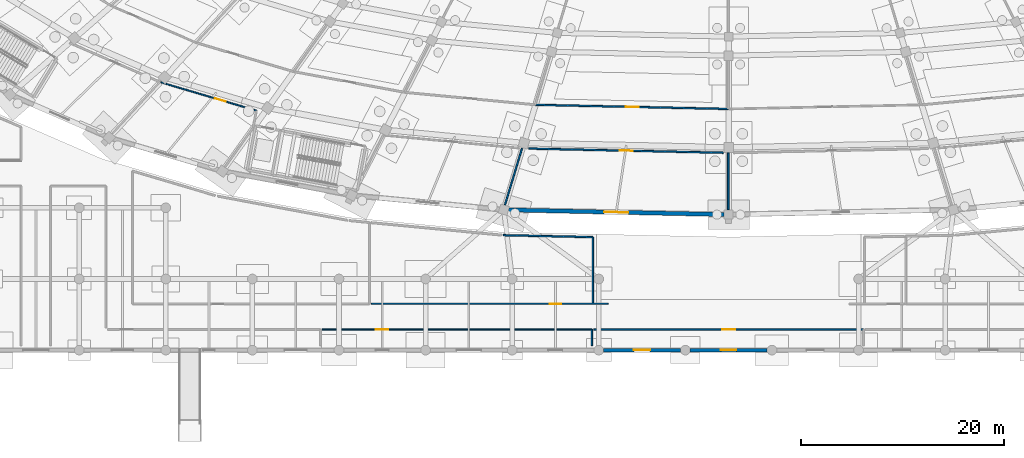
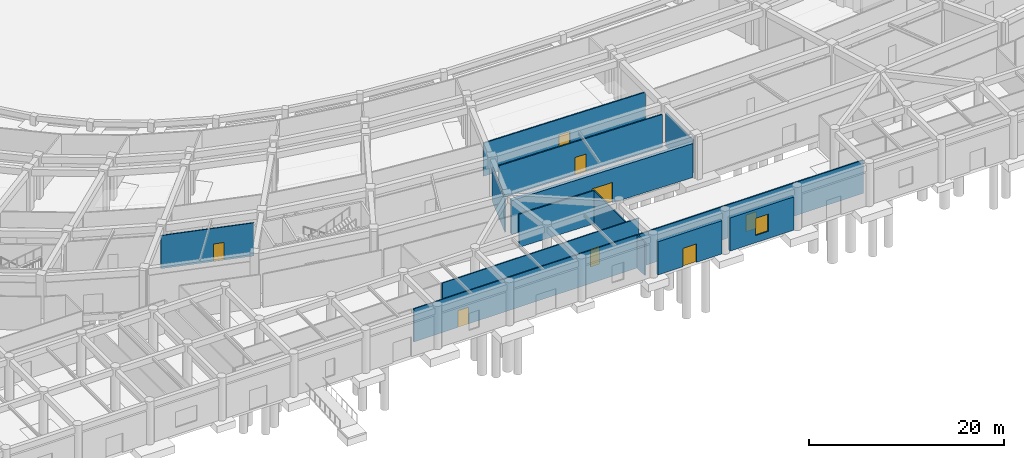
# One storey, part 43 of 88: 14 walls, 8 doors, 1 window, 9 openings.
"""IFC4 building model written with IfcOpenShell, lengths in metres."""

from ifc_helpers import new_model, si_unit, direction, frame, frame_2d, origin, place, context, subcontext, project, spatial, rectangle, extrude, material, layer, layer_set, type_object, element, fill, save


model = new_model("IFC4")

# Units and contexts
model_context = context("Model", 3, precision=1e-05, world=origin(), true_north=direction((0.0, 1.0)))
body_context = subcontext(model_context, "Body", "Model", "MODEL_VIEW")
ifc_project = project(units=[si_unit("LENGTHUNIT", "METRE"), si_unit("AREAUNIT", "SQUARE_METRE"), si_unit("VOLUMEUNIT", "CUBIC_METRE"), si_unit("PLANEANGLEUNIT", "RADIAN"), si_unit("MASSUNIT", "GRAM", prefix="KILO")], contexts=[model_context])

# Site, building, storey
site_placement = place(None, origin())
site = spatial("IfcSite", under=ifc_project, at=site_placement, CompositionType="ELEMENT")
building_placement = place(site_placement, origin())
building = spatial("IfcBuilding", under=site, at=building_placement, Name="Mphavela Belvedere Stadium", CompositionType="ELEMENT")
storey_placement = place(building_placement, origin())
storey = spatial("IfcBuildingStorey", under=building, at=storey_placement, Name="L00", CompositionType="ELEMENT", Elevation=0.0)

# Wall, opening, door
ifc_material_1 = material(Name="Honed ashlar limestone masonry", Category="masonry")
ifc_layer_1 = layer(ifc_material_1, 0.35009765625)
ifc_layer_set_1 = layer_set([ifc_layer_1], Name="Honed ashlar limestone masonry")
wall_type_1 = type_object("IfcWallType", Name="WAL-EXT-ASHLAR-350", PredefinedType="STANDARD", material=ifc_layer_set_1)
wall_1_placement = place(storey_placement, frame((110.26806640625, 0.0, 0.0), z_axis=(0.0, 0.0, 1.0), x_axis=(-1.0, 0.0, 0.0)))
wall_1 = element("IfcWall", 1, at=wall_1_placement, inside=storey, type_object=wall_type_1, Name="South Axial Triumphal Peristyle Portico outer facade bay L00-13", PredefinedType="STANDARD", context=body_context, shape_type="SweptSolid", body=[
    extrude(rectangle(XDim=7.572998046875, YDim=0.35009765625, at=frame_2d((3.78662109375, 0.0))), origin(), (0.0, 0.0, 1.0), 4.159912109375),
])
opening_1_placement = place(wall_1_placement, frame((2.986572265625, 0.0, 0.0)))
opening_1 = element("IfcOpeningElement", 2, at=opening_1_placement, cuts=wall_1, Name="Opening ED-031", PredefinedType="OPENING", context=body_context, shape_type="SweptSolid", body=[
    extrude(rectangle(XDim=1.60009765625, YDim=2.300048828125, at=frame_2d((0.800048828125, 1.14990234375))), frame((0.0, 0.18505859375, 0.0), z_axis=(0.0, -1.0, 0.0), x_axis=(1.0, 0.0, 0.0)), (0.0, 0.0, 1.0), 0.3701171875),
])
ifc_material_2 = material(Name="Glazed bronze-anodised steel exit doorset", Category="steel")
door_type_1 = type_object("IfcDoorType", Name="DR-EXT-07", OperationType="NOTDEFINED", PredefinedType="DOOR", material=ifc_material_2)
door_1_placement = place(opening_1_placement, origin())
door_1 = element("IfcDoor", 3, at=door_1_placement, inside=storey, type_object=door_type_1, Name="South Axial Triumphal Peristyle Portico ceremonial exit doorset ED-031", OperationType="DOUBLE_DOOR_SINGLE_SWING", OverallHeight=2.300048828125, OverallWidth=1.60009765625, PredefinedType="DOOR", context=body_context, shape_type="SweptSolid", body=[
    extrude(rectangle(XDim=1.60009765625, YDim=2.300048828125, at=frame_2d((0.800048828125, 1.14990234375))), frame((0.0, 0.02490234375, 0.0), z_axis=(0.0, -1.0, 0.0), x_axis=(1.0, 0.0, 0.0)), (0.0, 0.0, 1.0), 0.050048828125),
])
fill(opening_1, door_1)

# Wall, opening, window
wall_2_placement = place(storey_placement, frame((118.785888671875, 0.0, 0.0), z_axis=(0.0, 0.0, 1.0), x_axis=(-1.0, 0.0, 0.0)))
wall_2 = element("IfcWall", 4, at=wall_2_placement, inside=storey, type_object=wall_type_1, Name="South Axial Triumphal Peristyle Portico outer facade bay L00-14", PredefinedType="STANDARD", context=body_context, shape_type="SweptSolid", body=[
    extrude(rectangle(XDim=7.57177734375, YDim=0.35009765625, at=frame_2d((3.785888671875, 0.0))), origin(), (0.0, 0.0, 1.0), 4.159912109375),
])
opening_2_placement = place(wall_2_placement, frame((3.02587890625, 0.0, 0.89990234375)))
opening_2 = element("IfcOpeningElement", 5, at=opening_2_placement, cuts=wall_2, Name="Opening W-037", PredefinedType="OPENING", context=body_context, shape_type="SweptSolid", body=[
    extrude(rectangle(XDim=1.52001953125, YDim=2.14990234375, at=frame_2d((0.760009765625, 1.074951171875))), frame((0.0, 0.18505859375, 0.0), z_axis=(0.0, -1.0, 0.0), x_axis=(1.0, 0.0, 0.0)), (0.0, 0.0, 1.0), 0.3701171875),
])
ifc_material_3 = material(Name="Bronze-anodised thermally broken aluminium window", Category="aluminium")
window_type = type_object("IfcWindowType", Name="WIN-EXT-37", PartitioningType="SINGLE_PANEL", PredefinedType="WINDOW", material=ifc_material_3)
window_placement = place(opening_2_placement, origin())
window = element("IfcWindow", 6, at=window_placement, inside=storey, type_object=window_type, Name="South Axial Triumphal Peristyle Portico classical window W-037", OverallHeight=2.14990234375, OverallWidth=1.52001953125, PartitioningType="SINGLE_PANEL", PredefinedType="WINDOW", context=body_context, shape_type="SweptSolid", body=[
    extrude(rectangle(XDim=1.52001953125, YDim=2.14990234375, at=frame_2d((0.760009765625, 1.074951171875))), frame((0.0, 0.030029296875, 0.0), z_axis=(0.0, -1.0, 0.0), x_axis=(1.0, 0.0, 0.0)), (0.0, 0.0, 1.0), 0.06005859375),
])
fill(opening_2, window)

# Wall, opening, door
ifc_material_4 = material(Name="Rusticated ashlar limestone masonry", Category="masonry")
ifc_layer_2 = layer(ifc_material_4, 0.39990234375)
ifc_layer_set_2 = layer_set([ifc_layer_2], Name="Rusticated ashlar limestone masonry")
wall_type_2 = type_object("IfcWallType", Name="WAL-EXT-ASHLAR-400", PredefinedType="STANDARD", material=ifc_layer_set_2)
wall_3_placement = place(storey_placement, frame((114.552001953125, 13.339599609375, 0.0), z_axis=(0.0, 0.0, 1.0), x_axis=(-0.999768115817, 0.021534033422, 0.0)))
wall_3 = element("IfcWall", 7, at=wall_3_placement, inside=storey, type_object=wall_type_2, Name="Ground plinth rusticated ashlar wall 36", PredefinedType="STANDARD", context=body_context, shape_type="SweptSolid", body=[
    extrude(rectangle(XDim=21.2236328125, YDim=0.39990234375, at=frame_2d((10.61181640625, 0.0))), origin(), (0.0, 0.0, 1.0), 4.25),
])
opening_3_placement = place(wall_3_placement, frame((9.411865234375, 0.0, 0.0)))
opening_3 = element("IfcOpeningElement", 8, at=opening_3_placement, cuts=wall_3, Name="Opening ED-014", PredefinedType="OPENING", context=body_context, shape_type="SweptSolid", body=[
    extrude(rectangle(XDim=2.39990234375, YDim=2.550048828125, at=frame_2d((1.199951171875, 1.27490234375))), frame((0.0, 0.2099609375, 0.0), z_axis=(0.0, -1.0, 0.0), x_axis=(1.0, 0.0, 0.0)), (0.0, 0.0, 1.0), 0.419921875),
])
ifc_material_5 = material(Name="Glazed bronze-anodised steel exit doorset", Category="steel")
door_type_2 = type_object("IfcDoorType", Name="DR-EXT-06", OperationType="NOTDEFINED", PredefinedType="DOOR", material=ifc_material_5)
door_2_placement = place(opening_3_placement, origin())
door_2 = element("IfcDoor", 9, at=door_2_placement, inside=storey, type_object=door_type_2, Name="Spectator final exit doorset ED-014", OperationType="DOUBLE_DOOR_SINGLE_SWING", OverallHeight=2.550048828125, OverallWidth=2.39990234375, PredefinedType="DOOR", context=body_context, shape_type="SweptSolid", body=[
    extrude(rectangle(XDim=2.39990234375, YDim=2.550048828125, at=frame_2d((1.199951171875, 1.27490234375))), frame((0.0, 0.02490234375, 0.0), z_axis=(0.0, -1.0, 0.0), x_axis=(1.0, 0.0, 0.0)), (0.0, 0.0, 1.0), 0.050048828125),
])
fill(opening_3, door_2)

ifc_material_6 = material(Name="Moisture-resistant sanitary partition assembly")
ifc_layer_3 = layer(ifc_material_6, 0.125)
ifc_layer_set_3 = layer_set([ifc_layer_3], Name="Moisture-resistant sanitary partition assembly")
wall_type_3 = type_object("IfcWallType", Name="WAL-PART-125", PredefinedType="PARTITIONING", material=ifc_layer_set_3)
wall_4_placement = place(storey_placement, frame((59.1337890625, 26.35009765625, 0.0), z_axis=(0.0, 0.0, 1.0), x_axis=(0.958661401763, -0.284549322211, 0.0)))
wall_4 = element("IfcWall", 10, at=wall_4_placement, inside=storey, type_object=wall_type_3, Name="Room L00-119 corridor partition", PredefinedType="PARTITIONING", context=body_context, shape_type="SweptSolid", body=[
    extrude(rectangle(XDim=9.80859375, YDim=0.125, at=frame_2d((4.904296875, 0.0))), origin(), (0.0, 0.0, 1.0), 4.14990234375),
])
opening_4_placement = place(wall_4_placement, frame((5.564453125, 0.0, 0.0)))
opening_4 = element("IfcOpeningElement", 11, at=opening_4_placement, cuts=wall_4, Name="Opening ID-054", PredefinedType="OPENING", context=body_context, shape_type="SweptSolid", body=[
    extrude(rectangle(XDim=1.10009765625, YDim=2.199951171875, at=frame_2d((0.550048828125, 1.10009765625))), frame((0.0, 0.072509765625, 0.0), z_axis=(0.0, -1.0, 0.0), x_axis=(1.0, 0.0, 0.0)), (0.0, 0.0, 1.0), 0.14501953125),
])
ifc_material_7 = material(Name="Hardwood acoustic timber doorset", Category="wood")
door_type_3 = type_object("IfcDoorType", Name="DR-INT-18", OperationType="NOTDEFINED", PredefinedType="DOOR", material=ifc_material_7)
door_3_placement = place(opening_4_placement, origin())
door_3 = element("IfcDoor", 12, at=door_3_placement, inside=storey, type_object=door_type_3, Name="Room L00-119 entrance door ID-054", OperationType="SINGLE_SWING_RIGHT", OverallHeight=2.199951171875, OverallWidth=1.10009765625, PredefinedType="DOOR", context=body_context, shape_type="SweptSolid", body=[
    extrude(rectangle(XDim=1.10009765625, YDim=2.199951171875, at=frame_2d((0.550048828125, 1.10009765625))), frame((0.0, 0.02490234375, 0.0), z_axis=(0.0, -1.0, 0.0), x_axis=(1.0, 0.0, 0.0)), (0.0, 0.0, 1.0), 0.050048828125),
])
fill(opening_4, door_3)

wall_5_placement = place(storey_placement, frame((75.02587890625, 2.0400390625, 0.0), z_axis=(0.0, 0.0, 1.0), x_axis=(1.0, 0.0, 0.0)))
wall_5 = element("IfcWall", 13, at=wall_5_placement, inside=storey, type_object=wall_type_3, Name="Room L00-167 corridor partition", PredefinedType="PARTITIONING", context=body_context, shape_type="SweptSolid", body=[
    extrude(rectangle(XDim=26.51611328125, YDim=0.125, at=frame_2d((13.258056640625, 0.0))), origin(), (0.0, 0.0, 1.0), 4.14990234375),
])
opening_5_placement = place(wall_5_placement, frame((5.251220703125, 0.0, 0.0)))
opening_5 = element("IfcOpeningElement", 14, at=opening_5_placement, cuts=wall_5, Name="Opening ID-369", PredefinedType="OPENING", context=body_context, shape_type="SweptSolid", body=[
    extrude(rectangle(XDim=1.219970703125, YDim=2.10009765625, at=frame_2d((0.60986328125, 1.050048828125))), frame((0.0, 0.072509765625, 0.0), z_axis=(0.0, -1.0, 0.0), x_axis=(1.0, 0.0, 0.0)), (0.0, 0.0, 1.0), 0.14501953125),
])
ifc_material_8 = material(Name="Hardwood acoustic timber doorset", Category="wood")
door_type_4 = type_object("IfcDoorType", Name="DR-INT-09", OperationType="NOTDEFINED", PredefinedType="DOOR", material=ifc_material_8)
door_4_placement = place(opening_5_placement, origin())
door_4 = element("IfcDoor", 15, at=door_4_placement, inside=storey, type_object=door_type_4, Name="Room L00-167 entrance door ID-369", OperationType="SINGLE_SWING_LEFT", OverallHeight=2.10009765625, OverallWidth=1.219970703125, PredefinedType="DOOR", context=body_context, shape_type="SweptSolid", body=[
    extrude(rectangle(XDim=1.219970703125, YDim=2.10009765625, at=frame_2d((0.60986328125, 1.050048828125))), frame((0.0, 0.02490234375, 0.0), z_axis=(0.0, -1.0, 0.0), x_axis=(1.0, 0.0, 0.0)), (0.0, 0.0, 1.0), 0.050048828125),
])
fill(opening_5, door_4)

wall_6_placement = place(storey_placement, frame((103.152099609375, 4.56005859375, 0.0), z_axis=(0.0, 0.0, 1.0), x_axis=(-1.0, 0.0, 0.0)))
wall_6 = element("IfcWall", 16, at=wall_6_placement, inside=storey, type_object=wall_type_3, Name="Room L00-176 corridor partition", PredefinedType="PARTITIONING", context=body_context, shape_type="SweptSolid", body=[
    extrude(rectangle(XDim=23.296142578125, YDim=0.125, at=frame_2d((11.64794921875, 0.0))), origin(), (0.0, 0.0, 1.0), 4.14990234375),
])
opening_6_placement = place(wall_6_placement, frame((4.631103515625, 0.0, 0.0)))
opening_6 = element("IfcOpeningElement", 17, at=opening_6_placement, cuts=wall_6, Name="Opening ID-378", PredefinedType="OPENING", context=body_context, shape_type="SweptSolid", body=[
    extrude(rectangle(XDim=1.10009765625, YDim=2.199951171875, at=frame_2d((0.550048828125, 1.10009765625))), frame((0.0, 0.072509765625, 0.0), z_axis=(0.0, -1.0, 0.0), x_axis=(1.0, 0.0, 0.0)), (0.0, 0.0, 1.0), 0.14501953125),
])
door_5_placement = place(opening_6_placement, origin())
door_5 = element("IfcDoor", 18, at=door_5_placement, inside=storey, type_object=door_type_3, Name="Room L00-176 entrance door ID-378", OperationType="SINGLE_SWING_RIGHT", OverallHeight=2.199951171875, OverallWidth=1.10009765625, PredefinedType="DOOR", context=body_context, shape_type="SweptSolid", body=[
    extrude(rectangle(XDim=1.10009765625, YDim=2.199951171875, at=frame_2d((0.550048828125, 1.10009765625))), frame((0.0, 0.02490234375, 0.0), z_axis=(0.0, -1.0, 0.0), x_axis=(1.0, 0.0, 0.0)), (0.0, 0.0, 1.0), 0.050048828125),
])
fill(opening_6, door_5)

ifc_material_9 = material(Name="Acoustic gypsum stud partition assembly")
ifc_layer_4 = layer(ifc_material_9, 0.14990234375)
ifc_layer_set_4 = layer_set([ifc_layer_4], Name="Acoustic gypsum stud partition assembly")
wall_type_4 = type_object("IfcWallType", Name="WAL-PART-150", PredefinedType="PARTITIONING", material=ifc_layer_set_4)
wall_7_placement = place(storey_placement, frame((114.9599609375, 23.726318359375, 0.0), z_axis=(0.0, 0.0, 1.0), x_axis=(-0.999768266483, 0.021527037261, 0.0)))
wall_7 = element("IfcWall", 19, at=wall_7_placement, inside=storey, type_object=wall_type_4, Name="Room L00-126 corridor partition", PredefinedType="PARTITIONING", context=body_context, shape_type="SweptSolid", body=[
    extrude(rectangle(XDim=18.9169921875, YDim=0.14990234375, at=frame_2d((9.45849609375, 0.0))), origin(), (0.0, 0.0, 1.0), 4.14990234375),
])
opening_7_placement = place(wall_7_placement, frame((8.82861328125, 0.0, 0.0)))
opening_7 = element("IfcOpeningElement", 20, at=opening_7_placement, cuts=wall_7, Name="Opening ID-058", PredefinedType="OPENING", context=body_context, shape_type="SweptSolid", body=[
    extrude(rectangle(XDim=1.260009765625, YDim=2.199951171875, at=frame_2d((0.6298828125, 1.10009765625))), frame((0.0, 0.0849609375, 0.0), z_axis=(0.0, -1.0, 0.0), x_axis=(1.0, 0.0, 0.0)), (0.0, 0.0, 1.0), 0.169921875),
])
ifc_material_10 = material(Name="Hardwood acoustic timber doorset", Category="wood")
door_type_5 = type_object("IfcDoorType", Name="DR-INT-22", OperationType="NOTDEFINED", PredefinedType="DOOR", material=ifc_material_10)
door_6_placement = place(opening_7_placement, origin())
door_6 = element("IfcDoor", 21, at=door_6_placement, inside=storey, type_object=door_type_5, Name="Room L00-126 entrance door ID-058", OperationType="SINGLE_SWING_RIGHT", OverallHeight=2.199951171875, OverallWidth=1.260009765625, PredefinedType="DOOR", context=body_context, shape_type="SweptSolid", body=[
    extrude(rectangle(XDim=1.260009765625, YDim=2.199951171875, at=frame_2d((0.6298828125, 1.10009765625))), frame((0.0, 0.02490234375, 0.0), z_axis=(0.0, -1.0, 0.0), x_axis=(1.0, 0.0, 0.0)), (0.0, 0.0, 1.0), 0.050048828125),
])
fill(opening_7, door_6)

wall_8_placement = place(storey_placement, frame((95.35595703125, 19.8291015625, 0.0), z_axis=(0.0, 0.0, 1.0), x_axis=(0.999768107727, -0.021534409017, 0.0)))
wall_8 = element("IfcWall", 22, at=wall_8_placement, inside=storey, type_object=wall_type_4, Name="Room L00-127 corridor partition", PredefinedType="PARTITIONING", context=body_context, shape_type="SweptSolid", body=[
    extrude(rectangle(XDim=19.13720703125, YDim=0.14990234375, at=frame_2d((9.568603515625, 0.0))), origin(), (0.0, 0.0, 1.0), 4.14990234375),
])
opening_8_placement = place(wall_8_placement, frame((8.90869140625, 0.0, 0.0)))
opening_8 = element("IfcOpeningElement", 23, at=opening_8_placement, cuts=wall_8, Name="Opening ID-059", PredefinedType="OPENING", context=body_context, shape_type="SweptSolid", body=[
    extrude(rectangle(XDim=1.320068359375, YDim=2.199951171875, at=frame_2d((0.66015625, 1.10009765625))), frame((0.0, 0.0849609375, 0.0), z_axis=(0.0, -1.0, 0.0), x_axis=(1.0, 0.0, 0.0)), (0.0, 0.0, 1.0), 0.169921875),
])
ifc_material_11 = material(Name="Hardwood acoustic timber doorset", Category="wood")
door_type_6 = type_object("IfcDoorType", Name="DR-INT-23", OperationType="NOTDEFINED", PredefinedType="DOOR", material=ifc_material_11)
door_7_placement = place(opening_8_placement, origin())
door_7 = element("IfcDoor", 24, at=door_7_placement, inside=storey, type_object=door_type_6, Name="Room L00-127 entrance door ID-059", OperationType="SINGLE_SWING_LEFT", OverallHeight=2.199951171875, OverallWidth=1.320068359375, PredefinedType="DOOR", context=body_context, shape_type="SweptSolid", body=[
    extrude(rectangle(XDim=1.320068359375, YDim=2.199951171875, at=frame_2d((0.66015625, 1.10009765625))), frame((0.0, 0.02490234375, 0.0), z_axis=(0.0, -1.0, 0.0), x_axis=(1.0, 0.0, 0.0)), (0.0, 0.0, 1.0), 0.050048828125),
])
fill(opening_8, door_7)

wall_9_placement = place(storey_placement, frame((101.741943359375, 2.0400390625, 0.0), z_axis=(0.0, 0.0, 1.0), x_axis=(1.0, 0.0, 0.0)))
wall_9 = element("IfcWall", 25, at=wall_9_placement, inside=storey, type_object=wall_type_4, Name="Room L00-168 corridor partition", PredefinedType="PARTITIONING", context=body_context, shape_type="SweptSolid", body=[
    extrude(rectangle(XDim=26.51611328125, YDim=0.14990234375, at=frame_2d((13.258056640625, 0.0))), origin(), (0.0, 0.0, 1.0), 4.14990234375),
])
opening_9_placement = place(wall_9_placement, frame((12.6279296875, 0.0, 0.0)))
opening_9 = element("IfcOpeningElement", 26, at=opening_9_placement, cuts=wall_9, Name="Opening ID-370", PredefinedType="OPENING", context=body_context, shape_type="SweptSolid", body=[
    extrude(rectangle(XDim=1.260009765625, YDim=2.10009765625, at=frame_2d((0.6298828125, 1.050048828125))), frame((0.0, 0.0849609375, 0.0), z_axis=(0.0, -1.0, 0.0), x_axis=(1.0, 0.0, 0.0)), (0.0, 0.0, 1.0), 0.169921875),
])
ifc_material_12 = material(Name="Hardwood acoustic timber doorset", Category="wood")
door_type_7 = type_object("IfcDoorType", Name="DR-INT-10", OperationType="NOTDEFINED", PredefinedType="DOOR", material=ifc_material_12)
door_8_placement = place(opening_9_placement, origin())
door_8 = element("IfcDoor", 27, at=door_8_placement, inside=storey, type_object=door_type_7, Name="Room L00-168 entrance door ID-370", OperationType="SINGLE_SWING_RIGHT", OverallHeight=2.10009765625, OverallWidth=1.260009765625, PredefinedType="DOOR", context=body_context, shape_type="SweptSolid", body=[
    extrude(rectangle(XDim=1.260009765625, YDim=2.10009765625, at=frame_2d((0.6298828125, 1.050048828125))), frame((0.0, 0.02490234375, 0.0), z_axis=(0.0, -1.0, 0.0), x_axis=(1.0, 0.0, 0.0)), (0.0, 0.0, 1.0), 0.050048828125),
])
fill(opening_9, door_8)

# Walls
wall_10_placement = place(storey_placement, frame((94.6689453125, 19.847412109375, 0.0), z_axis=(0.0, 0.0, 1.0), x_axis=(-0.289236092688, -0.957257793223, 0.0)))
element("IfcWall", 28, at=wall_10_placement, inside=storey, type_object=wall_type_4, Name="Room divider partition L00-0102", PredefinedType="PARTITIONING", context=body_context, shape_type="SweptSolid", body=[
    extrude(rectangle(XDim=5.798828125, YDim=0.14990234375, at=frame_2d((2.8994140625, 0.0))), origin(), (0.0, 0.0, 1.0), 4.14990234375),
])
wall_11_placement = place(storey_placement, frame((114.9599609375, 19.406982421875, 0.0), z_axis=(0.0, 0.0, 1.0), x_axis=(0.0, -1.0, 0.0)))
element("IfcWall", 29, at=wall_11_placement, inside=storey, type_object=wall_type_4, Name="Room divider partition L00-0105", PredefinedType="PARTITIONING", context=body_context, shape_type="SweptSolid", body=[
    extrude(rectangle(XDim=5.576904296875, YDim=0.14990234375, at=frame_2d((2.78857421875, 0.0))), origin(), (0.0, 0.0, 1.0), 4.14990234375),
])
wall_12_placement = place(storey_placement, frame((101.5419921875, 2.0400390625, 0.0), z_axis=(0.0, 0.0, 1.0), x_axis=(0.0, -1.0, 0.0)))
element("IfcWall", 30, at=wall_12_placement, inside=storey, type_object=wall_type_4, Name="Room divider partition L00-0661", PredefinedType="PARTITIONING", context=body_context, shape_type="SweptSolid", body=[
    extrude(rectangle(XDim=1.590087890625, YDim=0.14990234375, at=frame_2d((0.794921875, 0.0))), origin(), (0.0, 0.0, 1.0), 4.14990234375),
])
wall_13_placement = place(storey_placement, frame((92.83154296875, 11.306884765625, 0.0), z_axis=(0.0, 0.0, 1.0), x_axis=(0.999768109674, -0.021534318641, 0.0)))
element("IfcWall", 31, at=wall_13_placement, inside=storey, type_object=wall_type_4, Name="Room divider partition L00-0687", PredefinedType="PARTITIONING", context=body_context, shape_type="SweptSolid", body=[
    extrude(rectangle(XDim=8.8203125, YDim=0.14990234375, at=frame_2d((4.41015625, 0.0))), origin(), (0.0, 0.0, 1.0), 4.14990234375),
])
wall_14_placement = place(storey_placement, frame((101.64990234375, 11.116943359375, 0.0), z_axis=(0.0, 0.0, 1.0), x_axis=(0.0, -1.0, 0.0)))
element("IfcWall", 32, at=wall_14_placement, inside=storey, type_object=wall_type_4, Name="Room divider partition L00-0688", PredefinedType="PARTITIONING", context=body_context, shape_type="SweptSolid", body=[
    extrude(rectangle(XDim=6.467041015625, YDim=0.14990234375, at=frame_2d((3.2333984375, 0.0))), origin(), (0.0, 0.0, 1.0), 4.14990234375),
])

save(model, "model.ifc")
